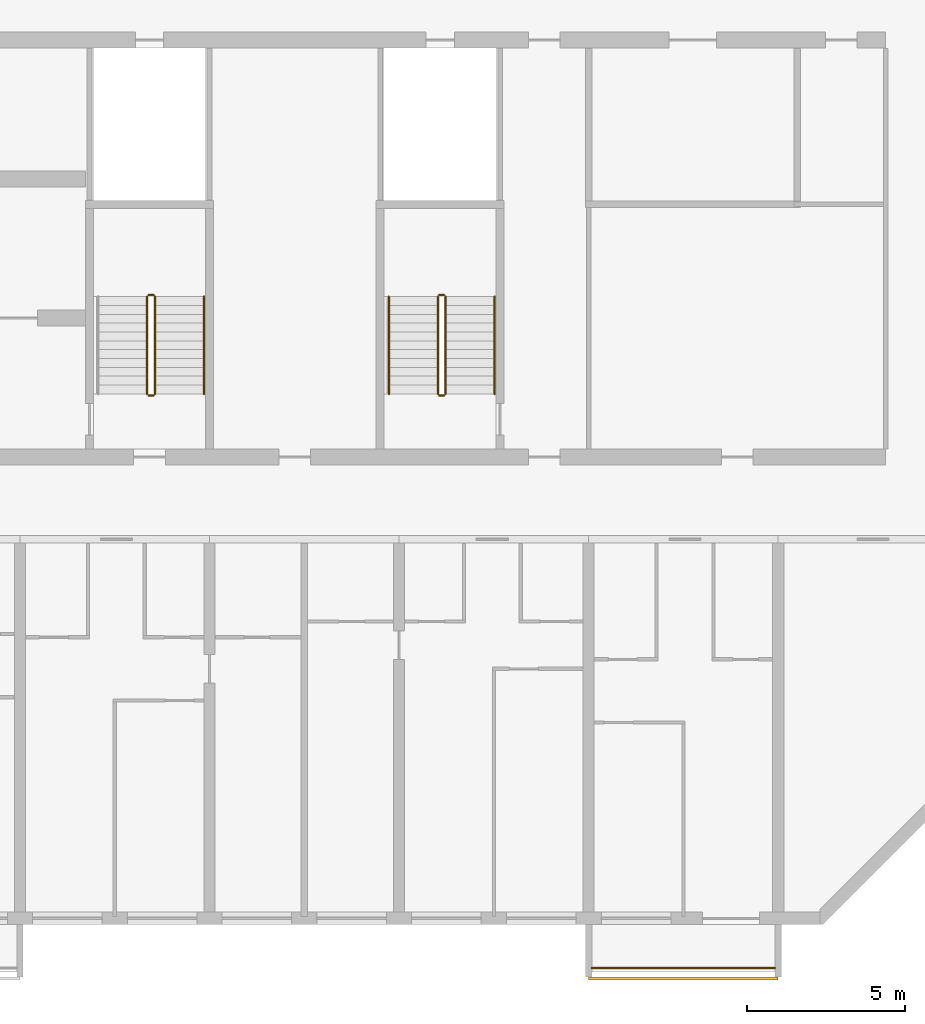
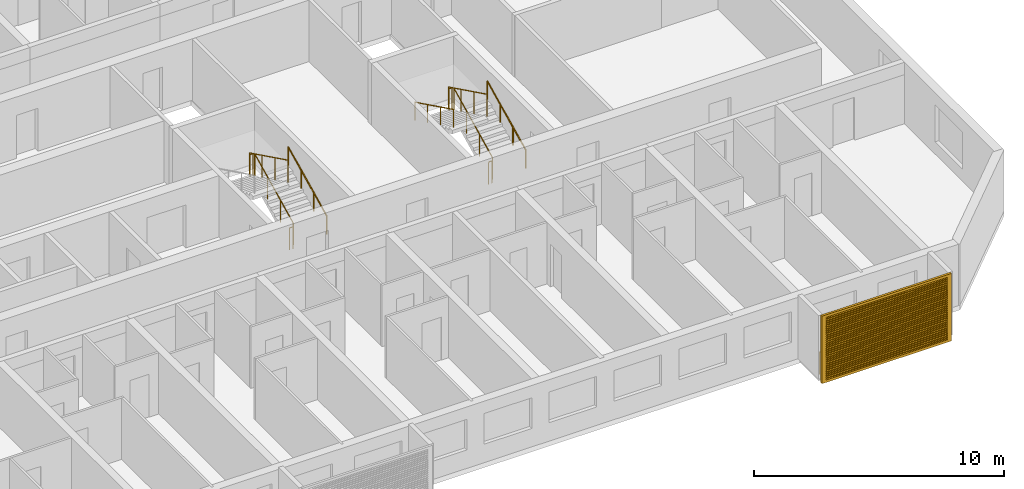
# One storey, part 22 of 24: 12 railings, 1 shading device.
"""IFC4 building model written with IfcOpenShell, lengths in metres."""

from ifc_helpers import new_model, si_unit, direction, frame, origin, origin_2d, place, context, subcontext, project, spatial, polyline, circle, outline, extrude, source, transform, mapped, material, material_profile, profile_set, type_object, element, save


model = new_model("IFC4")

# Units and contexts
model_context = context("Model", 3, precision=1e-05, world=origin(), true_north=direction((0.0, 1.0)))
body_context = subcontext(model_context, "Body", "Model", "MODEL_VIEW")
ifc_project = project(units=[si_unit("LENGTHUNIT", "METRE"), si_unit("AREAUNIT", "SQUARE_METRE"), si_unit("VOLUMEUNIT", "CUBIC_METRE"), si_unit("PLANEANGLEUNIT", "RADIAN"), si_unit("MASSUNIT", "GRAM", prefix="KILO")], contexts=[model_context])

# Site, building, storey
site_placement = place(None, origin())
site = spatial("IfcSite", under=ifc_project, at=site_placement, CompositionType="ELEMENT")
building_placement = place(site_placement, origin())
building = spatial("IfcBuilding", under=site, at=building_placement, Name="Poui Terraces", CompositionType="ELEMENT")
storey_placement = place(building_placement, frame((0.0, 0.0, 102.60009765625)))
storey = spatial("IfcBuildingStorey", under=building, at=storey_placement, Name="L28", CompositionType="ELEMENT", Elevation=102.60009765625)

# Railings
ifc_material_1 = material(Name="Painted steel fretwork", Category="steel")
railing_type_1 = type_object("IfcRailingType", Name="BALCONY GUARD 1100", PredefinedType="GUARDRAIL", material=ifc_material_1)
railing_1_placement = place(storey_placement, frame((84.10009765625, -1.570068359375, 0.0)))
element("IfcRailing", 1, at=railing_1_placement, inside=storey, type_object=railing_type_1, Name="BALCONY GUARD", PredefinedType="GUARDRAIL", context=body_context, shape_type="SweptSolid", body=[
    extrude(circle(Radius=0.02392578125, at=origin_2d()), frame((0.0, 0.0, 1.076171875), z_axis=(1.0, 0.0, 0.0), x_axis=(0.0, 1.0, 0.0)), (0.0, 0.0, 1.0), 5.7998046875),
    extrude(circle(Radius=0.02099609375, at=origin_2d()), origin(), (0.0, 0.0, 1.0), 1.052001953125),
    extrude(circle(Radius=0.02099609375, at=origin_2d()), frame((0.966552734375, 0.0, 0.0)), (0.0, 0.0, 1.0), 1.052001953125),
    extrude(circle(Radius=0.02099609375, at=origin_2d()), frame((1.933349609375, 0.0, 0.0)), (0.0, 0.0, 1.0), 1.052001953125),
    extrude(circle(Radius=0.02099609375, at=origin_2d()), frame((2.89990234375, 0.0, 0.0)), (0.0, 0.0, 1.0), 1.052001953125),
    extrude(circle(Radius=0.02099609375, at=origin_2d()), frame((3.866455078125, 0.0, 0.0)), (0.0, 0.0, 1.0), 1.052001953125),
    extrude(circle(Radius=0.02099609375, at=origin_2d()), frame((4.833251953125, 0.0, 0.0)), (0.0, 0.0, 1.0), 1.052001953125),
    extrude(circle(Radius=0.02099609375, at=origin_2d()), frame((5.7998046875, 0.0, 0.0)), (0.0, 0.0, 1.0), 1.052001953125),
])
ifc_material_2 = material(Name="Galvanised steel balustrade", Category="steel")
railing_type_2 = type_object("IfcRailingType", Name="STAIR GUARD 1100", PredefinedType="GUARDRAIL", material=ifc_material_2)
railing_2_placement = place(storey_placement, frame((70.27490234375, 16.60009765625, 0.137451171875)))
element("IfcRailing", 2, at=railing_2_placement, inside=storey, type_object=railing_type_2, Name="L28 ST-CE stair guard 1", PredefinedType="GUARDRAIL", context=body_context, shape_type="SweptSolid", body=[
    extrude(circle(Radius=0.02392578125, at=origin_2d()), frame((0.0, 0.0, 1.076171875), z_axis=(0.0, 0.897606190399, 0.440798283751), x_axis=(-1.0, 0.0, 0.0)), (0.0, 0.0, 1.0), 3.43115234375),
    extrude(circle(Radius=0.02099609375, at=origin_2d()), origin(), (0.0, 0.0, 1.0), 1.052001953125),
    extrude(circle(Radius=0.02099609375, at=origin_2d()), frame((0.0, 1.026611328125, 0.504150390625)), (0.0, 0.0, 1.0), 1.052001953125),
    extrude(circle(Radius=0.02099609375, at=origin_2d()), frame((0.0, 2.05322265625, 1.00830078125)), (0.0, 0.0, 1.0), 1.052001953125),
    extrude(circle(Radius=0.02099609375, at=origin_2d()), frame((0.0, 3.079833984375, 1.512451171875)), (0.0, 0.0, 1.0), 1.052001953125),
])
railing_3_placement = place(storey_placement, frame((70.22509765625, 19.72998046875, 1.64990234375)))
element("IfcRailing", 3, at=railing_3_placement, inside=storey, type_object=railing_type_2, Name="L28 ST-CE stair guard 2", PredefinedType="GUARDRAIL", context=body_context, shape_type="SweptSolid", body=[
    extrude(circle(Radius=0.02392578125, at=origin_2d()), frame((0.0, 0.0, 1.076171875), z_axis=(-1.0, 0.0, 0.0), x_axis=(0.0, -1.0, 0.0)), (0.0, 0.0, 1.0), 0.150146484375),
    extrude(circle(Radius=0.02099609375, at=origin_2d()), origin(), (0.0, 0.0, 1.0), 1.052001953125),
    extrude(circle(Radius=0.02099609375, at=origin_2d()), frame((-0.150146484375, 0.0, 0.0)), (0.0, 0.0, 1.0), 1.052001953125),
])
railing_4_placement = place(storey_placement, frame((70.02490234375, 19.679931640625, 1.787353515625)))
element("IfcRailing", 4, at=railing_4_placement, inside=storey, type_object=railing_type_2, Name="L28 ST-CE stair guard 3", PredefinedType="GUARDRAIL", context=body_context, shape_type="SweptSolid", body=[
    extrude(circle(Radius=0.02392578125, at=origin_2d()), frame((0.0, 0.0, 1.076171875), z_axis=(0.0, -0.897606190399, 0.440798283751), x_axis=(1.0, 0.0, 0.0)), (0.0, 0.0, 1.0), 3.43115234375),
    extrude(circle(Radius=0.02099609375, at=origin_2d()), origin(), (0.0, 0.0, 1.0), 1.052001953125),
    extrude(circle(Radius=0.02099609375, at=origin_2d()), frame((0.0, -1.026611328125, 0.504150390625)), (0.0, 0.0, 1.0), 1.052001953125),
    extrude(circle(Radius=0.02099609375, at=origin_2d()), frame((0.0, -2.05322265625, 1.00830078125)), (0.0, 0.0, 1.0), 1.052001953125),
    extrude(circle(Radius=0.02099609375, at=origin_2d()), frame((0.0, -3.079833984375, 1.512451171875)), (0.0, 0.0, 1.0), 1.052001953125),
])
railing_5_placement = place(storey_placement, frame((70.22509765625, 16.550048828125, 0.0)))
element("IfcRailing", 5, at=railing_5_placement, inside=storey, type_object=railing_type_2, Name="L28 ST-CE stair guard 4", PredefinedType="GUARDRAIL", context=body_context, shape_type="SweptSolid", body=[
    extrude(circle(Radius=0.02392578125, at=origin_2d()), frame((0.0, 0.0, 1.076171875), z_axis=(-1.0, 0.0, 0.0), x_axis=(0.0, -1.0, 0.0)), (0.0, 0.0, 1.0), 0.150146484375),
    extrude(circle(Radius=0.02099609375, at=origin_2d()), origin(), (0.0, 0.0, 1.0), 1.052001953125),
    extrude(circle(Radius=0.02099609375, at=origin_2d()), frame((-0.150146484375, 0.0, 0.0)), (0.0, 0.0, 1.0), 1.052001953125),
])
railing_6_placement = place(storey_placement, frame((79.47509765625, 16.60009765625, 0.137451171875)))
element("IfcRailing", 6, at=railing_6_placement, inside=storey, type_object=railing_type_2, Name="L28 ST-E stair guard 1", PredefinedType="GUARDRAIL", context=body_context, shape_type="SweptSolid", body=[
    extrude(circle(Radius=0.02392578125, at=origin_2d()), frame((0.0, 0.0, 1.076171875), z_axis=(0.0, 0.897606190399, 0.440798283751), x_axis=(-1.0, 0.0, 0.0)), (0.0, 0.0, 1.0), 3.43115234375),
    extrude(circle(Radius=0.02099609375, at=origin_2d()), origin(), (0.0, 0.0, 1.0), 1.052001953125),
    extrude(circle(Radius=0.02099609375, at=origin_2d()), frame((0.0, 1.026611328125, 0.504150390625)), (0.0, 0.0, 1.0), 1.052001953125),
    extrude(circle(Radius=0.02099609375, at=origin_2d()), frame((0.0, 2.05322265625, 1.00830078125)), (0.0, 0.0, 1.0), 1.052001953125),
    extrude(circle(Radius=0.02099609375, at=origin_2d()), frame((0.0, 3.079833984375, 1.512451171875)), (0.0, 0.0, 1.0), 1.052001953125),
])
railing_7_placement = place(storey_placement, frame((79.425048828125, 19.72998046875, 1.64990234375)))
element("IfcRailing", 7, at=railing_7_placement, inside=storey, type_object=railing_type_2, Name="L28 ST-E stair guard 2", PredefinedType="GUARDRAIL", context=body_context, shape_type="SweptSolid", body=[
    extrude(circle(Radius=0.02392578125, at=origin_2d()), frame((0.0, 0.0, 1.076171875), z_axis=(-1.0, 0.0, 0.0), x_axis=(0.0, -1.0, 0.0)), (0.0, 0.0, 1.0), 0.150146484375),
    extrude(circle(Radius=0.02099609375, at=origin_2d()), origin(), (0.0, 0.0, 1.0), 1.052001953125),
    extrude(circle(Radius=0.02099609375, at=origin_2d()), frame((-0.150146484375, 0.0, 0.0)), (0.0, 0.0, 1.0), 1.052001953125),
])
railing_8_placement = place(storey_placement, frame((79.22509765625, 19.679931640625, 1.787353515625)))
element("IfcRailing", 8, at=railing_8_placement, inside=storey, type_object=railing_type_2, Name="L28 ST-E stair guard 3", PredefinedType="GUARDRAIL", context=body_context, shape_type="SweptSolid", body=[
    extrude(circle(Radius=0.02392578125, at=origin_2d()), frame((0.0, 0.0, 1.076171875), z_axis=(0.0, -0.897606190399, 0.440798283751), x_axis=(1.0, 0.0, 0.0)), (0.0, 0.0, 1.0), 3.43115234375),
    extrude(circle(Radius=0.02099609375, at=origin_2d()), origin(), (0.0, 0.0, 1.0), 1.052001953125),
    extrude(circle(Radius=0.02099609375, at=origin_2d()), frame((0.0, -1.026611328125, 0.504150390625)), (0.0, 0.0, 1.0), 1.052001953125),
    extrude(circle(Radius=0.02099609375, at=origin_2d()), frame((0.0, -2.05322265625, 1.00830078125)), (0.0, 0.0, 1.0), 1.052001953125),
    extrude(circle(Radius=0.02099609375, at=origin_2d()), frame((0.0, -3.079833984375, 1.512451171875)), (0.0, 0.0, 1.0), 1.052001953125),
])
railing_9_placement = place(storey_placement, frame((79.425048828125, 16.550048828125, 0.0)))
element("IfcRailing", 9, at=railing_9_placement, inside=storey, type_object=railing_type_2, Name="L28 ST-E stair guard 4", PredefinedType="GUARDRAIL", context=body_context, shape_type="SweptSolid", body=[
    extrude(circle(Radius=0.02392578125, at=origin_2d()), frame((0.0, 0.0, 1.076171875), z_axis=(-1.0, 0.0, 0.0), x_axis=(0.0, -1.0, 0.0)), (0.0, 0.0, 1.0), 0.150146484375),
    extrude(circle(Radius=0.02099609375, at=origin_2d()), origin(), (0.0, 0.0, 1.0), 1.052001953125),
    extrude(circle(Radius=0.02099609375, at=origin_2d()), frame((-0.150146484375, 0.0, 0.0)), (0.0, 0.0, 1.0), 1.052001953125),
])
ifc_material_3 = material(Name="Stainless steel handrail", Category="steel")
railing_type_3 = type_object("IfcRailingType", Name="STAIR HANDRAIL 900", PredefinedType="HANDRAIL", material=ifc_material_3)
for number, where, name in (
    (10, (71.824951171875, 16.60009765625, 0.137451171875), "L28 ST-CE stair handrail 1"),
    (11, (81.02490234375, 16.60009765625, 0.137451171875), "L28 ST-E stair handrail 1"),
):
    element("IfcRailing", number, at=place(storey_placement, frame(where)), inside=storey, type_object=railing_type_3, Name=name, PredefinedType="HANDRAIL", context=body_context, shape_type="SweptSolid", body=[
        extrude(circle(Radius=0.02392578125, at=origin_2d()), frame((0.0, 0.0, 0.8759765625), z_axis=(0.0, 0.897606190399, 0.440798283751), x_axis=(-1.0, 0.0, 0.0)), (0.0, 0.0, 1.0), 3.43115234375),
        extrude(circle(Radius=0.02099609375, at=origin_2d()), origin(), (0.0, 0.0, 1.0), 0.851806640625),
        extrude(circle(Radius=0.02099609375, at=origin_2d()), frame((0.0, 1.026611328125, 0.504150390625)), (0.0, 0.0, 1.0), 0.851806640625),
        extrude(circle(Radius=0.02099609375, at=origin_2d()), frame((0.0, 2.05322265625, 1.00830078125)), (0.0, 0.0, 1.0), 0.851806640625),
        extrude(circle(Radius=0.02099609375, at=origin_2d()), frame((0.0, 3.079833984375, 1.512451171875)), (0.0, 0.0, 1.0), 0.851806640625),
    ])
railing_10_placement = place(storey_placement, frame((77.675048828125, 19.679931640625, 1.787353515625)))
element("IfcRailing", 12, at=railing_10_placement, inside=storey, type_object=railing_type_3, Name="L28 ST-E stair handrail 2", PredefinedType="HANDRAIL", context=body_context, shape_type="SweptSolid", body=[
    extrude(circle(Radius=0.02392578125, at=origin_2d()), frame((0.0, 0.0, 0.8759765625), z_axis=(0.0, -0.897606190399, 0.440798283751), x_axis=(1.0, 0.0, 0.0)), (0.0, 0.0, 1.0), 3.43115234375),
    extrude(circle(Radius=0.02099609375, at=origin_2d()), origin(), (0.0, 0.0, 1.0), 0.851806640625),
    extrude(circle(Radius=0.02099609375, at=origin_2d()), frame((0.0, -1.026611328125, 0.504150390625)), (0.0, 0.0, 1.0), 0.851806640625),
    extrude(circle(Radius=0.02099609375, at=origin_2d()), frame((0.0, -2.05322265625, 1.00830078125)), (0.0, 0.0, 1.0), 0.851806640625),
    extrude(circle(Radius=0.02099609375, at=origin_2d()), frame((0.0, -3.079833984375, 1.512451171875)), (0.0, 0.0, 1.0), 0.851806640625),
])

# Shading device
ifc_material_4 = material(Name="Aluminium louvre", Category="aluminium")
ifc_material_profile = material_profile(ifc_material_4, outline(polyline([(-3.0, -1.64990234375), (3.0, -1.64990234375), (3.0, 1.64990234375), (-3.0, 1.64990234375), (-3.0, -1.64990234375)]), holes=[polyline([(-2.800048828125, -1.530029296875), (2.800048828125, -1.530029296875), (2.800048828125, -1.469970703125), (-2.800048828125, -1.469970703125), (-2.800048828125, -1.530029296875)]), polyline([(-2.800048828125, -1.429931640625), (2.800048828125, -1.429931640625), (2.800048828125, -1.3701171875), (-2.800048828125, -1.3701171875), (-2.800048828125, -1.429931640625)]), polyline([(-2.800048828125, -1.330078125), (2.800048828125, -1.330078125), (2.800048828125, -1.27001953125), (-2.800048828125, -1.27001953125), (-2.800048828125, -1.330078125)]), polyline([(-2.800048828125, -1.22998046875), (2.800048828125, -1.22998046875), (2.800048828125, -1.169921875), (-2.800048828125, -1.169921875), (-2.800048828125, -1.22998046875)]), polyline([(-2.800048828125, -1.1298828125), (2.800048828125, -1.1298828125), (2.800048828125, -1.070068359375), (-2.800048828125, -1.070068359375), (-2.800048828125, -1.1298828125)]), polyline([(-2.800048828125, -1.030029296875), (2.800048828125, -1.030029296875), (2.800048828125, -0.969970703125), (-2.800048828125, -0.969970703125), (-2.800048828125, -1.030029296875)]), polyline([(-2.800048828125, -0.929931640625), (2.800048828125, -0.929931640625), (2.800048828125, -0.8701171875), (-2.800048828125, -0.8701171875), (-2.800048828125, -0.929931640625)]), polyline([(-2.800048828125, -0.830078125), (2.800048828125, -0.830078125), (2.800048828125, -0.77001953125), (-2.800048828125, -0.77001953125), (-2.800048828125, -0.830078125)]), polyline([(-2.800048828125, -0.72998046875), (2.800048828125, -0.72998046875), (2.800048828125, -0.669921875), (-2.800048828125, -0.669921875), (-2.800048828125, -0.72998046875)]), polyline([(-2.800048828125, -0.6298828125), (2.800048828125, -0.6298828125), (2.800048828125, -0.570068359375), (-2.800048828125, -0.570068359375), (-2.800048828125, -0.6298828125)]), polyline([(-2.800048828125, -0.530029296875), (2.800048828125, -0.530029296875), (2.800048828125, -0.469970703125), (-2.800048828125, -0.469970703125), (-2.800048828125, -0.530029296875)]), polyline([(-2.800048828125, -0.429931640625), (2.800048828125, -0.429931640625), (2.800048828125, -0.3701171875), (-2.800048828125, -0.3701171875), (-2.800048828125, -0.429931640625)]), polyline([(-2.800048828125, -0.330078125), (2.800048828125, -0.330078125), (2.800048828125, -0.27001953125), (-2.800048828125, -0.27001953125), (-2.800048828125, -0.330078125)]), polyline([(-2.800048828125, -0.22998046875), (2.800048828125, -0.22998046875), (2.800048828125, -0.169921875), (-2.800048828125, -0.169921875), (-2.800048828125, -0.22998046875)]), polyline([(-2.800048828125, -0.1298828125), (2.800048828125, -0.1298828125), (2.800048828125, -0.070068359375), (-2.800048828125, -0.070068359375), (-2.800048828125, -0.1298828125)]), polyline([(-2.800048828125, -0.030029296875), (2.800048828125, -0.030029296875), (2.800048828125, 0.030029296875), (-2.800048828125, 0.030029296875), (-2.800048828125, -0.030029296875)]), polyline([(-2.800048828125, 0.070068359375), (2.800048828125, 0.070068359375), (2.800048828125, 0.1298828125), (-2.800048828125, 0.1298828125), (-2.800048828125, 0.070068359375)]), polyline([(-2.800048828125, 0.169921875), (2.800048828125, 0.169921875), (2.800048828125, 0.22998046875), (-2.800048828125, 0.22998046875), (-2.800048828125, 0.169921875)]), polyline([(-2.800048828125, 0.27001953125), (2.800048828125, 0.27001953125), (2.800048828125, 0.330078125), (-2.800048828125, 0.330078125), (-2.800048828125, 0.27001953125)]), polyline([(-2.800048828125, 0.3701171875), (2.800048828125, 0.3701171875), (2.800048828125, 0.429931640625), (-2.800048828125, 0.429931640625), (-2.800048828125, 0.3701171875)]), polyline([(-2.800048828125, 0.469970703125), (2.800048828125, 0.469970703125), (2.800048828125, 0.530029296875), (-2.800048828125, 0.530029296875), (-2.800048828125, 0.469970703125)]), polyline([(-2.800048828125, 0.570068359375), (2.800048828125, 0.570068359375), (2.800048828125, 0.6298828125), (-2.800048828125, 0.6298828125), (-2.800048828125, 0.570068359375)]), polyline([(-2.800048828125, 0.669921875), (2.800048828125, 0.669921875), (2.800048828125, 0.72998046875), (-2.800048828125, 0.72998046875), (-2.800048828125, 0.669921875)]), polyline([(-2.800048828125, 0.77001953125), (2.800048828125, 0.77001953125), (2.800048828125, 0.830078125), (-2.800048828125, 0.830078125), (-2.800048828125, 0.77001953125)]), polyline([(-2.800048828125, 0.8701171875), (2.800048828125, 0.8701171875), (2.800048828125, 0.929931640625), (-2.800048828125, 0.929931640625), (-2.800048828125, 0.8701171875)]), polyline([(-2.800048828125, 0.969970703125), (2.800048828125, 0.969970703125), (2.800048828125, 1.030029296875), (-2.800048828125, 1.030029296875), (-2.800048828125, 0.969970703125)]), polyline([(-2.800048828125, 1.070068359375), (2.800048828125, 1.070068359375), (2.800048828125, 1.1298828125), (-2.800048828125, 1.1298828125), (-2.800048828125, 1.070068359375)]), polyline([(-2.800048828125, 1.169921875), (2.800048828125, 1.169921875), (2.800048828125, 1.22998046875), (-2.800048828125, 1.22998046875), (-2.800048828125, 1.169921875)]), polyline([(-2.800048828125, 1.27001953125), (2.800048828125, 1.27001953125), (2.800048828125, 1.330078125), (-2.800048828125, 1.330078125), (-2.800048828125, 1.27001953125)]), polyline([(-2.800048828125, 1.3701171875), (2.800048828125, 1.3701171875), (2.800048828125, 1.429931640625), (-2.800048828125, 1.429931640625), (-2.800048828125, 1.3701171875)]), polyline([(-2.800048828125, 1.469970703125), (2.800048828125, 1.469970703125), (2.800048828125, 1.530029296875), (-2.800048828125, 1.530029296875), (-2.800048828125, 1.469970703125)])]), Name="JALOUSIE LOUVRE SHUTTER 6000X3300")
ifc_profile_set = profile_set([ifc_material_profile], Name="Aluminium louvre")
shading_device_type = type_object("IfcShadingDeviceType", Name="JALOUSIE LOUVRE SHUTTER 6000X3300", PredefinedType="JALOUSIE", material=ifc_profile_set)
shared_shape = source(origin(), body_context, "Body", "SweptSolid", [
    extrude(outline(polyline([(-3.0, -1.64990234375), (3.0, -1.64990234375), (3.0, 1.64990234375), (-3.0, 1.64990234375), (-3.0, -1.64990234375)]), holes=[polyline([(-2.800048828125, -1.530029296875), (2.800048828125, -1.530029296875), (2.800048828125, -1.469970703125), (-2.800048828125, -1.469970703125), (-2.800048828125, -1.530029296875)]), polyline([(-2.800048828125, -1.429931640625), (2.800048828125, -1.429931640625), (2.800048828125, -1.3701171875), (-2.800048828125, -1.3701171875), (-2.800048828125, -1.429931640625)]), polyline([(-2.800048828125, -1.330078125), (2.800048828125, -1.330078125), (2.800048828125, -1.27001953125), (-2.800048828125, -1.27001953125), (-2.800048828125, -1.330078125)]), polyline([(-2.800048828125, -1.22998046875), (2.800048828125, -1.22998046875), (2.800048828125, -1.169921875), (-2.800048828125, -1.169921875), (-2.800048828125, -1.22998046875)]), polyline([(-2.800048828125, -1.1298828125), (2.800048828125, -1.1298828125), (2.800048828125, -1.070068359375), (-2.800048828125, -1.070068359375), (-2.800048828125, -1.1298828125)]), polyline([(-2.800048828125, -1.030029296875), (2.800048828125, -1.030029296875), (2.800048828125, -0.969970703125), (-2.800048828125, -0.969970703125), (-2.800048828125, -1.030029296875)]), polyline([(-2.800048828125, -0.929931640625), (2.800048828125, -0.929931640625), (2.800048828125, -0.8701171875), (-2.800048828125, -0.8701171875), (-2.800048828125, -0.929931640625)]), polyline([(-2.800048828125, -0.830078125), (2.800048828125, -0.830078125), (2.800048828125, -0.77001953125), (-2.800048828125, -0.77001953125), (-2.800048828125, -0.830078125)]), polyline([(-2.800048828125, -0.72998046875), (2.800048828125, -0.72998046875), (2.800048828125, -0.669921875), (-2.800048828125, -0.669921875), (-2.800048828125, -0.72998046875)]), polyline([(-2.800048828125, -0.6298828125), (2.800048828125, -0.6298828125), (2.800048828125, -0.570068359375), (-2.800048828125, -0.570068359375), (-2.800048828125, -0.6298828125)]), polyline([(-2.800048828125, -0.530029296875), (2.800048828125, -0.530029296875), (2.800048828125, -0.469970703125), (-2.800048828125, -0.469970703125), (-2.800048828125, -0.530029296875)]), polyline([(-2.800048828125, -0.429931640625), (2.800048828125, -0.429931640625), (2.800048828125, -0.3701171875), (-2.800048828125, -0.3701171875), (-2.800048828125, -0.429931640625)]), polyline([(-2.800048828125, -0.330078125), (2.800048828125, -0.330078125), (2.800048828125, -0.27001953125), (-2.800048828125, -0.27001953125), (-2.800048828125, -0.330078125)]), polyline([(-2.800048828125, -0.22998046875), (2.800048828125, -0.22998046875), (2.800048828125, -0.169921875), (-2.800048828125, -0.169921875), (-2.800048828125, -0.22998046875)]), polyline([(-2.800048828125, -0.1298828125), (2.800048828125, -0.1298828125), (2.800048828125, -0.070068359375), (-2.800048828125, -0.070068359375), (-2.800048828125, -0.1298828125)]), polyline([(-2.800048828125, -0.030029296875), (2.800048828125, -0.030029296875), (2.800048828125, 0.030029296875), (-2.800048828125, 0.030029296875), (-2.800048828125, -0.030029296875)]), polyline([(-2.800048828125, 0.070068359375), (2.800048828125, 0.070068359375), (2.800048828125, 0.1298828125), (-2.800048828125, 0.1298828125), (-2.800048828125, 0.070068359375)]), polyline([(-2.800048828125, 0.169921875), (2.800048828125, 0.169921875), (2.800048828125, 0.22998046875), (-2.800048828125, 0.22998046875), (-2.800048828125, 0.169921875)]), polyline([(-2.800048828125, 0.27001953125), (2.800048828125, 0.27001953125), (2.800048828125, 0.330078125), (-2.800048828125, 0.330078125), (-2.800048828125, 0.27001953125)]), polyline([(-2.800048828125, 0.3701171875), (2.800048828125, 0.3701171875), (2.800048828125, 0.429931640625), (-2.800048828125, 0.429931640625), (-2.800048828125, 0.3701171875)]), polyline([(-2.800048828125, 0.469970703125), (2.800048828125, 0.469970703125), (2.800048828125, 0.530029296875), (-2.800048828125, 0.530029296875), (-2.800048828125, 0.469970703125)]), polyline([(-2.800048828125, 0.570068359375), (2.800048828125, 0.570068359375), (2.800048828125, 0.6298828125), (-2.800048828125, 0.6298828125), (-2.800048828125, 0.570068359375)]), polyline([(-2.800048828125, 0.669921875), (2.800048828125, 0.669921875), (2.800048828125, 0.72998046875), (-2.800048828125, 0.72998046875), (-2.800048828125, 0.669921875)]), polyline([(-2.800048828125, 0.77001953125), (2.800048828125, 0.77001953125), (2.800048828125, 0.830078125), (-2.800048828125, 0.830078125), (-2.800048828125, 0.77001953125)]), polyline([(-2.800048828125, 0.8701171875), (2.800048828125, 0.8701171875), (2.800048828125, 0.929931640625), (-2.800048828125, 0.929931640625), (-2.800048828125, 0.8701171875)]), polyline([(-2.800048828125, 0.969970703125), (2.800048828125, 0.969970703125), (2.800048828125, 1.030029296875), (-2.800048828125, 1.030029296875), (-2.800048828125, 0.969970703125)]), polyline([(-2.800048828125, 1.070068359375), (2.800048828125, 1.070068359375), (2.800048828125, 1.1298828125), (-2.800048828125, 1.1298828125), (-2.800048828125, 1.070068359375)]), polyline([(-2.800048828125, 1.169921875), (2.800048828125, 1.169921875), (2.800048828125, 1.22998046875), (-2.800048828125, 1.22998046875), (-2.800048828125, 1.169921875)]), polyline([(-2.800048828125, 1.27001953125), (2.800048828125, 1.27001953125), (2.800048828125, 1.330078125), (-2.800048828125, 1.330078125), (-2.800048828125, 1.27001953125)]), polyline([(-2.800048828125, 1.3701171875), (2.800048828125, 1.3701171875), (2.800048828125, 1.429931640625), (-2.800048828125, 1.429931640625), (-2.800048828125, 1.3701171875)]), polyline([(-2.800048828125, 1.469970703125), (2.800048828125, 1.469970703125), (2.800048828125, 1.530029296875), (-2.800048828125, 1.530029296875), (-2.800048828125, 1.469970703125)])]), origin(), (0.0, 0.0, 1.0), 0.099853515625),
])
shading_device_placement = place(storey_placement, frame((87.0, -1.85009765625, 1.449951171875), z_axis=(0.0, -1.0, 0.0), x_axis=(1.0, 0.0, 0.0)))
element("IfcShadingDevice", 13, at=shading_device_placement, inside=storey, type_object=shading_device_type, Name="JALOUSIE LOUVRE SHUTTER", PredefinedType="JALOUSIE", context=body_context, shape_type="MappedRepresentation", body=[
    mapped(shared_shape, transform((0.0, 0.0, 0.0))),
])

save(model, "model.ifc")
